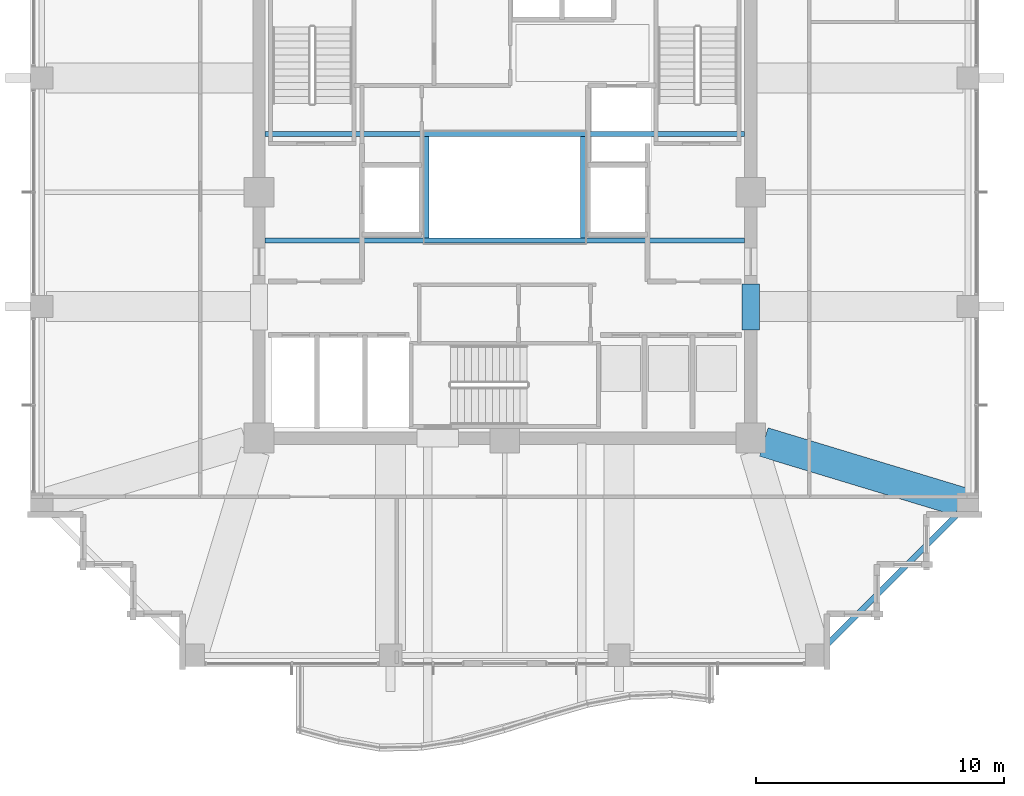
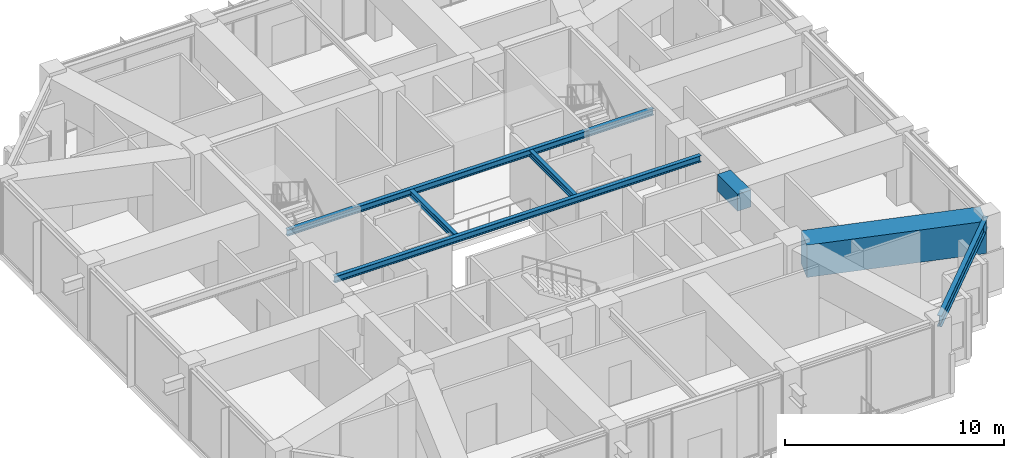
# One storey, part 11 of 33: 7 beams.
"""IFC4 building model written with IfcOpenShell, lengths in metres."""

from ifc_helpers import new_model, si_unit, direction, frame, origin, origin_2d, place, context, subcontext, project, spatial, rectangle, i_section, extrude, material, material_profile, profile_set, type_object, element, save


model = new_model("IFC4")

# Units and contexts
model_context = context("Model", 3, precision=1e-05, world=origin(), true_north=direction((0.0, 1.0)))
body_context = subcontext(model_context, "Body", "Model", "MODEL_VIEW")
ifc_project = project(units=[si_unit("LENGTHUNIT", "METRE"), si_unit("AREAUNIT", "SQUARE_METRE"), si_unit("VOLUMEUNIT", "CUBIC_METRE"), si_unit("PLANEANGLEUNIT", "RADIAN"), si_unit("MASSUNIT", "GRAM", prefix="KILO")], contexts=[model_context])

# Site, building, storey
site_placement = place(None, origin())
site = spatial("IfcSite", under=ifc_project, at=site_placement, CompositionType="ELEMENT")
building_placement = place(site_placement, origin())
building = spatial("IfcBuilding", under=site, at=building_placement, Name="Kolvaren Belvedere", CompositionType="ELEMENT")
storey_placement = place(building_placement, frame((0.0, 0.0, 152.699951171875)))
storey = spatial("IfcBuildingStorey", under=building, at=storey_placement, Name="L44", CompositionType="ELEMENT", Elevation=152.699951171875)

# Beams
ifc_material_1 = material(Name="Structural steel ASTM A992 Grade 50", Category="steel")
ifc_material_profile_1 = material_profile(ifc_material_1, i_section(OverallWidth=0.2041015625, OverallDepth=0.35009765625, WebThickness=0.008544921875, FlangeThickness=0.01513671875, FilletRadius=0.013916015625, at=origin_2d()), Name="W14X48")
ifc_profile_set_1 = profile_set([ifc_material_profile_1], Name="Structural steel ASTM A992 Grade 50")
beam_type_1 = type_object("IfcBeamType", Name="BM-ATRIUM-W14X48", PredefinedType="BEAM", material=ifc_profile_set_1)
for number, where, z_axis, x_axis, name in (
    (1, (-9.64990234375, -1.949951171875, 3.824951171875), (1.0, 0.0, 0.0), (0.0, 1.0, 0.0), "L44 Central Atrium South Girder AS"),
    (2, (-9.64990234375, 2.35009765625, 3.824951171875), (1.0, 0.0, 0.0), (0.0, 1.0, 0.0), "L44 Central Atrium North Girder AN"),
):
    element("IfcBeam", number, at=place(storey_placement, frame(where, z_axis=z_axis, x_axis=x_axis)), inside=storey, type_object=beam_type_1, Name=name, PredefinedType="BEAM", context=body_context, shape_type="SweptSolid", body=[
        extrude(i_section(OverallWidth=0.2041015625, OverallDepth=0.35009765625, WebThickness=0.008544921875, FlangeThickness=0.01513671875, FilletRadius=0.013916015625, at=origin_2d()), origin(), (0.0, 0.0, 1.0), 19.2998046875),
    ])
for number, where, z_axis, x_axis, name in (
    (3, (-3.14990234375, -1.840087890625, 3.824951171875), (0.0, 1.0, 0.0), (-1.0, 0.0, 0.0), "L44 Central Atrium West Edge Beam AW"),
    (4, (3.14990234375, -1.840087890625, 3.824951171875), (0.0, 1.0, 0.0), (-1.0, 0.0, 0.0), "L44 Central Atrium East Edge Beam AE"),
):
    element("IfcBeam", number, at=place(storey_placement, frame(where, z_axis=z_axis, x_axis=x_axis)), inside=storey, type_object=beam_type_1, Name=name, PredefinedType="BEAM", context=body_context, shape_type="SweptSolid", body=[
        extrude(i_section(OverallWidth=0.2041015625, OverallDepth=0.35009765625, WebThickness=0.008544921875, FlangeThickness=0.01513671875, FilletRadius=0.013916015625, at=origin_2d()), origin(), (0.0, 0.0, 1.0), 4.080078125),
    ])
ifc_material_2 = material(Name="Concrete C60/75", Category="concrete")
ifc_material_profile_2 = material_profile(ifc_material_2, rectangle(XDim=0.699951171875, YDim=0.949951171875, at=origin_2d()), Name="RC 700X950")
ifc_profile_set_2 = profile_set([ifc_material_profile_2], Name="Concrete C60/75")
beam_type_2 = type_object("IfcBeamType", Name="BM-LINT-950", PredefinedType="LINTEL", material=ifc_profile_set_2)
beam_1_placement = place(storey_placement, frame((9.89990234375, -5.550048828125, 3.525146484375), z_axis=(0.0, 1.0, 0.0), x_axis=(-1.0, 0.0, 0.0)))
element("IfcBeam", 5, at=beam_1_placement, inside=storey, type_object=beam_type_2, Name="L44 East Core Coupling Lintel", PredefinedType="LINTEL", context=body_context, shape_type="SweptSolid", body=[
    extrude(rectangle(XDim=0.699951171875, YDim=0.949951171875, at=origin_2d()), origin(), (0.0, 0.0, 1.0), 1.85009765625),
])
ifc_material_3 = material(Name="Structural steel ASTM A992 Grade 50", Category="steel")
ifc_material_profile_3 = material_profile(ifc_material_3, i_section(OverallWidth=0.22900390625, OverallDepth=0.612060546875, WebThickness=0.011962890625, FlangeThickness=0.01953125, FilletRadius=0.01806640625, at=origin_2d()), Name="W24X84")
ifc_profile_set_3 = profile_set([ifc_material_profile_3], Name="Structural steel ASTM A992 Grade 50")
beam_type_3 = type_object("IfcBeamType", Name="BM-SPAN-W24X84", PredefinedType="SPANDREL", material=ifc_profile_set_3)
beam_2_placement = place(storey_placement, frame((12.693115234375, -18.5068359375, 3.694091796875), z_axis=(0.707106781187, 0.707106781187, 0.0), x_axis=(-0.707106781187, 0.707106781187, 0.0)))
element("IfcBeam", 6, at=beam_2_placement, inside=storey, type_object=beam_type_3, Name="L44 Perimeter Spandrel S4-E1", PredefinedType="SPANDREL", context=body_context, shape_type="SweptSolid", body=[
    extrude(i_section(OverallWidth=0.22900390625, OverallDepth=0.612060546875, WebThickness=0.011962890625, FlangeThickness=0.01953125, FilletRadius=0.01806640625, at=origin_2d()), origin(), (0.0, 0.0, 1.0), 8.221923828125),
])
ifc_material_4 = material(Name="Concrete C50/60", Category="concrete")
ifc_material_profile_4 = material_profile(ifc_material_4, rectangle(XDim=1.199951171875, YDim=1.800048828125, at=origin_2d()), Name="RC 1200X1800")
ifc_profile_set_4 = profile_set([ifc_material_profile_4], Name="Concrete C50/60")
beam_type_4 = type_object("IfcBeamType", Name="BM-TG-1800", PredefinedType="BEAM", material=ifc_profile_set_4)
beam_3_placement = place(storey_placement, frame((10.426513671875, -10.059326171875, 3.10009765625), z_axis=(0.957067352423, -0.289865629086, 0.0), x_axis=(0.289865629086, 0.957067352423, 0.0)))
element("IfcBeam", 7, at=beam_3_placement, inside=storey, type_object=beam_type_4, Name="L44 Corner Core-to-Perimeter Girder CC2-E1", PredefinedType="BEAM", context=body_context, shape_type="SweptSolid", body=[
    extrude(rectangle(XDim=1.199951171875, YDim=1.800048828125, at=origin_2d()), origin(), (0.0, 0.0, 1.0), 8.412353515625),
])

save(model, "model.ifc")
